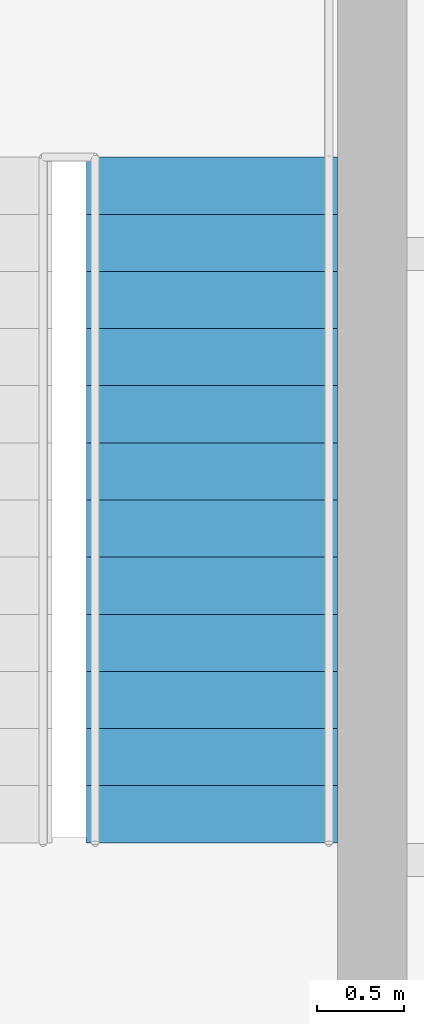
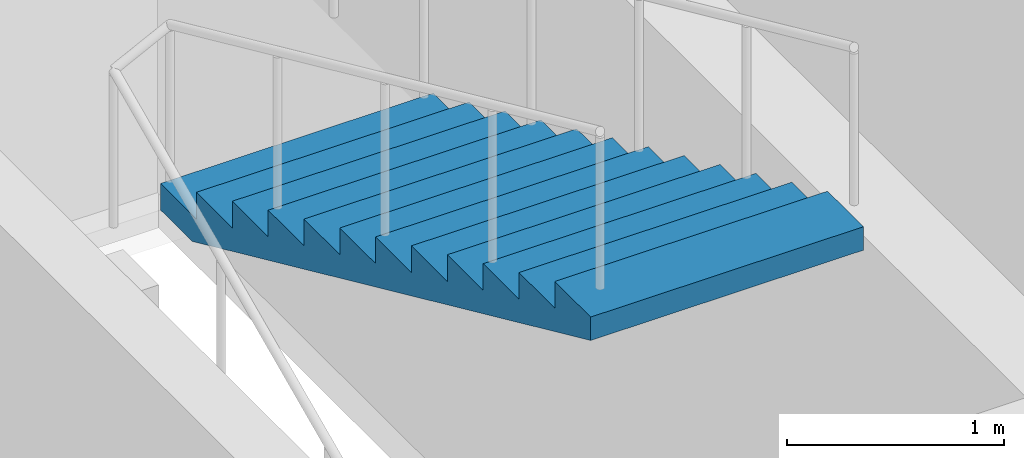
# One storey, part 9 of 10: 1 stair flight, 1 element without a shape of its own.
"""IFC4 building model written with IfcOpenShell, lengths in metres."""

import ifcopenshell
import ifcopenshell.guid

model = None  # the IFC model being written
_history = None  # IfcOwnerHistory: only IFC2X3 demands one
_inside = {}  # id of a spatial element -> (the spatial element, [elements in it])
_under = {}  # id of a project, library or spatial element -> (it, [spatial elements below it])
_declared = {}  # id of a project -> (the project, [libraries it declares])
_typed = {}  # id of a type object -> (the type object, [elements of that type])
_made_of = {}  # id of a material, layer set ... -> (it, [elements and type objects made of it])


def new_model(schema):
    """Start an empty IFC model of exactly this schema.

    Asked for "IFC4X3", IfcOpenShell would pick the latest addendum, in which some entities
    have other attributes; the version numbers below select the first issue.
    IFC2X3 requires an IfcOwnerHistory on every rooted entity: one is made here for all.
    """
    global model, _history
    if schema == "IFC4X3":
        model = ifcopenshell.file(schema_version=(4, 3, 0, 0))
    else:
        model = ifcopenshell.file(schema=schema)
    _inside.clear()
    _under.clear()
    _declared.clear()
    _typed.clear()
    _made_of.clear()
    _history = None
    if model.schema == "IFC2X3":
        org = make("IfcOrganization", Name="unknown")
        user = make(
            "IfcPersonAndOrganization",
            ThePerson=make("IfcPerson", FamilyName="unknown"),
            TheOrganization=org,
        )
        app = make(
            "IfcApplication",
            ApplicationDeveloper=org,
            Version="unknown",
            ApplicationFullName="unknown",
            ApplicationIdentifier="unknown",
        )
        _history = make(
            "IfcOwnerHistory",
            OwningUser=user,
            OwningApplication=app,
            ChangeAction="ADDED",
            CreationDate=0,
        )
    return model


def make(cls, **values):
    """One entity of the class cls with the attributes given. An attribute that is None is left unset."""
    return model.create_entity(
        cls, **{name: value for name, value in values.items() if value is not None}
    )


def rooted(cls, **values):
    """An entity with a GlobalId (a new one), such as an element, a storey or a relation."""
    return make(cls, GlobalId=ifcopenshell.guid.new(), OwnerHistory=_history, **values)


def si_unit(unit_type, name, prefix=None):
    """IfcSIUnit, for example si_unit("LENGTHUNIT", "METRE", prefix="MILLI")."""
    return make("IfcSIUnit", UnitType=unit_type, Prefix=prefix, Name=name)


def assignment(units):
    """IfcUnitAssignment: the units of a project."""
    return None if units is None else make("IfcUnitAssignment", Units=units)


def point(xyz):
    """IfcCartesianPoint."""
    return None if xyz is None else make("IfcCartesianPoint", Coordinates=xyz)


def direction(xyz):
    """IfcDirection."""
    return None if xyz is None else make("IfcDirection", DirectionRatios=xyz)


def frame(location, z_axis=None, x_axis=None):
    """IfcAxis2Placement3D, a coordinate frame: its origin and axes. An axis left out is left unset."""
    return make(
        "IfcAxis2Placement3D",
        Location=point(location),
        Axis=direction(z_axis),
        RefDirection=direction(x_axis),
    )


def origin():
    """The frame at (0, 0, 0) with its axes left unset."""
    return frame((0.0, 0.0, 0.0))


def place(relative_to, where):
    """IfcLocalPlacement: puts the frame where relative to a parent placement (None: the world)."""
    return make(
        "IfcLocalPlacement", PlacementRelTo=relative_to, RelativePlacement=where
    )


def context(
    kind, dimensions, precision=None, world=None, true_north=None, identifier=None
):
    """IfcGeometricRepresentationContext, for example the 3D "Model" context."""
    return make(
        "IfcGeometricRepresentationContext",
        ContextIdentifier=identifier,
        ContextType=kind,
        CoordinateSpaceDimension=dimensions,
        Precision=precision,
        WorldCoordinateSystem=world,
        TrueNorth=true_north,
    )


def subcontext(parent, identifier, kind, view, scale=None):
    """IfcGeometricRepresentationSubContext, for example "Body" below "Model"."""
    return make(
        "IfcGeometricRepresentationSubContext",
        ContextIdentifier=identifier,
        ContextType=kind,
        ParentContext=parent,
        TargetScale=scale,
        TargetView=view,
    )


def project(units=None, contexts=None):
    """IfcProject with its units and contexts."""
    return rooted(
        "IfcProject",
        Name="project",
        RepresentationContexts=contexts,
        UnitsInContext=assignment(units),
    )


def spatial(cls, under=None, at=None, **own):
    """A site, building, storey or space (cls), placed at a placement, below another one or the project."""
    s = rooted(cls, ObjectPlacement=at, **own)
    if under is not None:
        _under.setdefault(under.id(), (under, []))[1].append(s)
    return s


def point_list(points):
    """IfcCartesianPointList2D or 3D."""
    cls = (
        "IfcCartesianPointList2D" if len(points[0]) == 2 else "IfcCartesianPointList3D"
    )
    return make(cls, CoordList=points)


def polygons(points, faces, closed=None, point_numbers=None):
    """IfcPolygonalFaceSet: a face is its outer loop, then its inner loops; points numbered from 1."""
    made = []
    for loops in faces:
        if len(loops) == 1:
            made.append(make("IfcIndexedPolygonalFace", CoordIndex=loops[0]))
        else:
            made.append(
                make(
                    "IfcIndexedPolygonalFaceWithVoids",
                    CoordIndex=loops[0],
                    InnerCoordIndices=loops[1:],
                )
            )
    return make(
        "IfcPolygonalFaceSet",
        Coordinates=point_list(points),
        Closed=closed,
        Faces=made,
        PnIndex=point_numbers,
    )


def shape(context_of_items, identifier, shape_type, items):
    """IfcShapeRepresentation: the items that make up one representation, for example the "Body"."""
    return make(
        "IfcShapeRepresentation",
        ContextOfItems=context_of_items,
        RepresentationIdentifier=identifier,
        RepresentationType=shape_type,
        Items=items,
    )


def material(Name=None, Category=None):
    """IfcMaterial."""
    return make("IfcMaterial", Name=Name, Category=Category)


def made_of(thing, what):
    """Note that an element or type object is made of a material, layer set ...; save() writes the relation."""
    if what is not None:
        _made_of.setdefault(what.id(), (what, []))[1].append(thing)
    return thing


def type_object(cls, material=None, **own):
    """A type object (cls), such as IfcWallType, which elements share."""
    return made_of(rooted(cls, **own), material)


def element(
    cls,
    number,
    at=None,
    inside=None,
    cuts=None,
    type_object=None,
    material=None,
    context=None,
    identifier="Body",
    shape_type=None,
    held_by="IfcProductDefinitionShape",
    body=None,
    shapes=None,
    **own,
):
    """One element of the class cls, such as IfcWall. Its Tag is "e" and its number.

    at: its placement. inside: the storey or other place that contains it. cuts: it is an
    opening in that element (IfcRelVoidsElement). A single representation is given by context,
    identifier, shape_type and body (its items); several are given by shapes. held_by: the class
    of the entity that holds the representations. save() writes the other relations.
    """
    e = rooted(cls, Tag="e%d" % number, ObjectPlacement=at, **own)
    if body is not None:
        shapes = [shape(context, identifier, shape_type, body)]
    if shapes is not None:
        e.Representation = make(held_by, Representations=shapes)
    if inside is not None:
        _inside.setdefault(inside.id(), (inside, []))[1].append(e)
    if cuts is not None:
        rooted(
            "IfcRelVoidsElement", RelatingBuildingElement=cuts, RelatedOpeningElement=e
        )
    if type_object is not None:
        _typed.setdefault(type_object.id(), (type_object, []))[1].append(e)
    return made_of(e, material)


def aggregate(whole, parts):
    """IfcRelAggregates: a whole, such as a stair, and the parts it consists of."""
    return rooted("IfcRelAggregates", RelatingObject=whole, RelatedObjects=parts)


def save(model, path):
    """Write the relations noted so far, then the file.

    IfcRelAggregates (storeys below a building ...), IfcRelContainedInSpatialStructure (elements
    in a storey), IfcRelDefinesByType, IfcRelAssociatesMaterial and IfcRelDeclares: one each for
    every whole, place, type object, material and project.
    """
    for whole, parts in _under.values():
        aggregate(whole, parts)
    for where, things in _inside.values():
        rooted(
            "IfcRelContainedInSpatialStructure",
            RelatedElements=things,
            RelatingStructure=where,
        )
    for kind, things in _typed.values():
        rooted("IfcRelDefinesByType", RelatedObjects=things, RelatingType=kind)
    for what, things in _made_of.values():
        rooted("IfcRelAssociatesMaterial", RelatedObjects=things, RelatingMaterial=what)
    for by, libraries in _declared.values():
        rooted("IfcRelDeclares", RelatingContext=by, RelatedDefinitions=libraries)
    model.write(path)


model = new_model("IFC4")

# Units and contexts
model_context = context("Model", 3, precision=1e-05, world=origin(), true_north=direction((0.0, 1.0)))
body_context = subcontext(model_context, "Body", "Model", "MODEL_VIEW")
ifc_project = project(units=[si_unit("LENGTHUNIT", "METRE"), si_unit("AREAUNIT", "SQUARE_METRE"), si_unit("VOLUMEUNIT", "CUBIC_METRE"), si_unit("PLANEANGLEUNIT", "RADIAN"), si_unit("MASSUNIT", "GRAM", prefix="KILO")], contexts=[model_context])

# Site, building, storey
site_placement = place(None, origin())
site = spatial("IfcSite", under=ifc_project, at=site_placement, CompositionType="ELEMENT")
building_placement = place(site_placement, origin())
building = spatial("IfcBuilding", under=site, at=building_placement, Name="Njiva Tower", CompositionType="ELEMENT")
storey_placement = place(building_placement, frame((0.0, 0.0, 276.6)))
storey = spatial("IfcBuildingStorey", under=building, at=storey_placement, Name="L63", CompositionType="ELEMENT", Elevation=276.6)

# Stair, stair flight
ifc_material = material(Name="Concrete C40/50", Category="concrete")
stair_type = type_object("IfcStairType", Name="ST3 Exit stair 1450", PredefinedType="HALF_TURN_STAIR", material=ifc_material)
stair_placement = place(storey_placement, origin())
stair = element("IfcStair", 1, at=stair_placement, inside=storey, type_object=stair_type, Name="Stair B", PredefinedType="HALF_TURN_STAIR")
stair_flight_type = type_object("IfcStairFlightType", Name="FL3 Stair flight 1450", PredefinedType="STRAIGHT", material=ifc_material)
stair_flight_placement = place(storey_placement, frame((13.375, 15.06, 1.95), z_axis=(0.0, 0.0, 1.0), x_axis=(0.0, -1.0, 0.0)))
stair_flight = element("IfcStairFlight", 2, at=stair_flight_placement, type_object=stair_flight_type, Name="ST-B flight 2", NumberOfRisers=13, NumberOfTreads=12, PredefinedType="STRAIGHT", RiserHeight=0.15, TreadLength=0.33, context=body_context, shape_type="Tessellation", body=[
    polygons([(0.0, 0.725, 0.0), (0.0, 0.3625, 0.0), (0.0, 0.0, 0.0), (0.0, -0.3625, 0.0), (0.0, -0.725, 0.0), (0.0, 0.725, 0.15), (0.0, 0.3625, 0.15), (0.0, 0.0, 0.15), (0.0, -0.3625, 0.15), (0.0, -0.725, 0.15), (0.33, 0.725, 0.15), (0.33, 0.3625, 0.15), (0.33, 0.0, 0.15), (0.33, -0.3625, 0.15), (0.33, -0.725, 0.15), (0.33, 0.725, 0.3), (0.33, 0.3625, 0.3), (0.33, 0.0, 0.3), (0.33, -0.3625, 0.3), (0.33, -0.725, 0.3), (0.66, 0.725, 0.3), (0.66, 0.3625, 0.3), (0.66, 0.0, 0.3), (0.66, -0.3625, 0.3), (0.66, -0.725, 0.3), (0.66, 0.725, 0.45), (0.66, 0.3625, 0.45), (0.66, 0.0, 0.45), (0.66, -0.3625, 0.45), (0.66, -0.725, 0.45), (0.99, 0.725, 0.45), (0.99, 0.3625, 0.45), (0.99, 0.0, 0.45), (0.99, -0.3625, 0.45), (0.99, -0.725, 0.45), (0.99, 0.725, 0.6), (0.99, 0.3625, 0.6), (0.99, 0.0, 0.6), (0.99, -0.3625, 0.6), (0.99, -0.725, 0.6), (1.32, 0.725, 0.6), (1.32, 0.3625, 0.6), (1.32, 0.0, 0.6), (1.32, -0.3625, 0.6), (1.32, -0.725, 0.6), (1.32, 0.725, 0.75), (1.32, 0.3625, 0.75), (1.32, 0.0, 0.75), (1.32, -0.3625, 0.75), (1.32, -0.725, 0.75), (1.65, 0.725, 0.75), (1.65, 0.3625, 0.75), (1.65, 0.0, 0.75), (1.65, -0.3625, 0.75), (1.65, -0.725, 0.75), (1.65, 0.725, 0.9), (1.65, 0.3625, 0.9), (1.65, 0.0, 0.9), (1.65, -0.3625, 0.9), (1.65, -0.725, 0.9), (1.98, 0.725, 0.9), (1.98, 0.3625, 0.9), (1.98, 0.0, 0.9), (1.98, -0.3625, 0.9), (1.98, -0.725, 0.9), (1.98, 0.725, 1.05), (1.98, 0.3625, 1.05), (1.98, 0.0, 1.05), (1.98, -0.3625, 1.05), (1.98, -0.725, 1.05), (2.31, 0.725, 1.05), (2.31, 0.3625, 1.05), (2.31, 0.0, 1.05), (2.31, -0.3625, 1.05), (2.31, -0.725, 1.05), (2.31, 0.725, 1.2), (2.31, 0.3625, 1.2), (2.31, 0.0, 1.2), (2.31, -0.3625, 1.2), (2.31, -0.725, 1.2), (2.64, 0.725, 1.2), (2.64, 0.3625, 1.2), (2.64, 0.0, 1.2), (2.64, -0.3625, 1.2), (2.64, -0.725, 1.2), (2.64, 0.725, 1.35), (2.64, 0.3625, 1.35), (2.64, 0.0, 1.35), (2.64, -0.3625, 1.35), (2.64, -0.725, 1.35), (2.97, 0.725, 1.35), (2.97, 0.3625, 1.35), (2.97, 0.0, 1.35), (2.97, -0.3625, 1.35), (2.97, -0.725, 1.35), (2.97, 0.725, 1.5), (2.97, 0.3625, 1.5), (2.97, 0.0, 1.5), (2.97, -0.3625, 1.5), (2.97, -0.725, 1.5), (3.3, 0.725, 1.5), (3.3, 0.3625, 1.5), (3.3, 0.0, 1.5), (3.3, -0.3625, 1.5), (3.3, -0.725, 1.5), (3.3, 0.725, 1.65), (3.3, 0.3625, 1.65), (3.3, 0.0, 1.65), (3.3, -0.3625, 1.65), (3.3, -0.725, 1.65), (3.63, 0.725, 1.65), (3.63, 0.3625, 1.65), (3.63, 0.0, 1.65), (3.63, -0.3625, 1.65), (3.63, -0.725, 1.65), (3.63, 0.725, 1.8), (3.63, 0.3625, 1.8), (3.63, 0.0, 1.8), (3.63, -0.3625, 1.8), (3.63, -0.725, 1.8), (3.96, 0.725, 1.8), (3.96, 0.3625, 1.8), (3.96, 0.0, 1.8), (3.96, -0.3625, 1.8), (3.96, -0.725, 1.8), (3.96, 0.725, 1.6682), (3.96, 0.3625, 1.6682), (3.96, 0.0, 1.6682), (3.96, -0.3625, 1.6682), (3.96, -0.725, 1.6682), (0.29, 0.725, 0.0), (0.29, 0.3625, 0.0), (0.29, 0.0, 0.0), (0.29, -0.3625, 0.0), (0.29, -0.725, 0.0)], [[[1, 6, 11, 16, 21, 26, 31, 36, 41, 46, 51, 56, 61, 66, 71, 76, 81, 86, 91, 96, 101, 106, 111, 116, 121, 126, 131]], [[135, 130, 125, 120, 115, 110, 105, 100, 95, 90, 85, 80, 75, 70, 65, 60, 55, 50, 45, 40, 35, 30, 25, 20, 15, 10, 5]], [[6, 1, 2, 7]], [[7, 2, 3, 8]], [[8, 3, 4, 9]], [[9, 4, 5, 10]], [[11, 6, 7, 12]], [[12, 7, 8, 13]], [[13, 8, 9, 14]], [[14, 9, 10, 15]], [[16, 11, 12, 17]], [[17, 12, 13, 18]], [[18, 13, 14, 19]], [[19, 14, 15, 20]], [[21, 16, 17, 22]], [[22, 17, 18, 23]], [[23, 18, 19, 24]], [[24, 19, 20, 25]], [[26, 21, 22, 27]], [[27, 22, 23, 28]], [[28, 23, 24, 29]], [[29, 24, 25, 30]], [[31, 26, 27, 32]], [[32, 27, 28, 33]], [[33, 28, 29, 34]], [[34, 29, 30, 35]], [[36, 31, 32, 37]], [[37, 32, 33, 38]], [[38, 33, 34, 39]], [[39, 34, 35, 40]], [[41, 36, 37, 42]], [[42, 37, 38, 43]], [[43, 38, 39, 44]], [[44, 39, 40, 45]], [[46, 41, 42, 47]], [[47, 42, 43, 48]], [[48, 43, 44, 49]], [[49, 44, 45, 50]], [[51, 46, 47, 52]], [[52, 47, 48, 53]], [[53, 48, 49, 54]], [[54, 49, 50, 55]], [[56, 51, 52, 57]], [[57, 52, 53, 58]], [[58, 53, 54, 59]], [[59, 54, 55, 60]], [[61, 56, 57, 62]], [[62, 57, 58, 63]], [[63, 58, 59, 64]], [[64, 59, 60, 65]], [[66, 61, 62, 67]], [[67, 62, 63, 68]], [[68, 63, 64, 69]], [[69, 64, 65, 70]], [[71, 66, 67, 72]], [[72, 67, 68, 73]], [[73, 68, 69, 74]], [[74, 69, 70, 75]], [[76, 71, 72, 77]], [[77, 72, 73, 78]], [[78, 73, 74, 79]], [[79, 74, 75, 80]], [[81, 76, 77, 82]], [[82, 77, 78, 83]], [[83, 78, 79, 84]], [[84, 79, 80, 85]], [[86, 81, 82, 87]], [[87, 82, 83, 88]], [[88, 83, 84, 89]], [[89, 84, 85, 90]], [[91, 86, 87, 92]], [[92, 87, 88, 93]], [[93, 88, 89, 94]], [[94, 89, 90, 95]], [[96, 91, 92, 97]], [[97, 92, 93, 98]], [[98, 93, 94, 99]], [[99, 94, 95, 100]], [[101, 96, 97, 102]], [[102, 97, 98, 103]], [[103, 98, 99, 104]], [[104, 99, 100, 105]], [[106, 101, 102, 107]], [[107, 102, 103, 108]], [[108, 103, 104, 109]], [[109, 104, 105, 110]], [[111, 106, 107, 112]], [[112, 107, 108, 113]], [[113, 108, 109, 114]], [[114, 109, 110, 115]], [[116, 111, 112, 117]], [[117, 112, 113, 118]], [[118, 113, 114, 119]], [[119, 114, 115, 120]], [[121, 116, 117, 122]], [[122, 117, 118, 123]], [[123, 118, 119, 124]], [[124, 119, 120, 125]], [[126, 121, 122, 127]], [[127, 122, 123, 128]], [[128, 123, 124, 129]], [[129, 124, 125, 130]], [[131, 126, 127, 132]], [[132, 127, 128, 133]], [[133, 128, 129, 134]], [[134, 129, 130, 135]], [[1, 131, 132, 2]], [[2, 132, 133, 3]], [[3, 133, 134, 4]], [[4, 134, 135, 5]]], closed=True),
])
aggregate(stair, [stair_flight])

save(model, "model.ifc")
